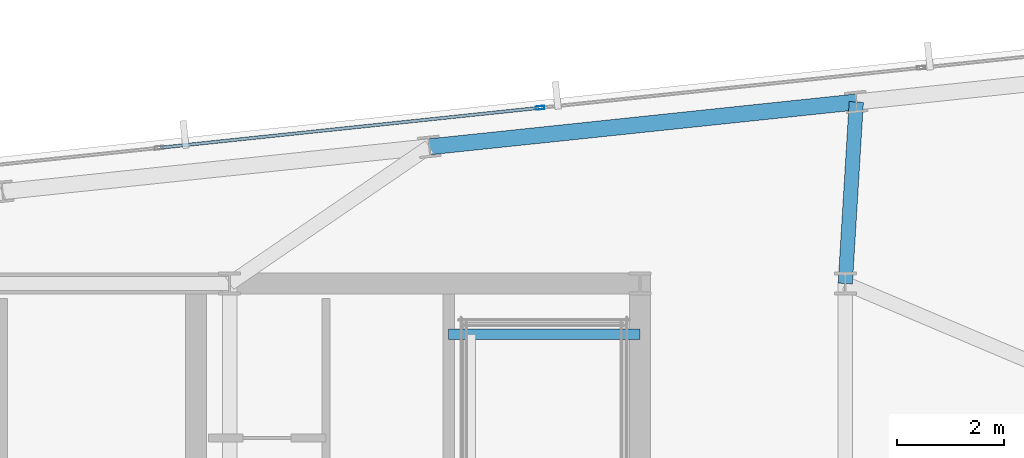
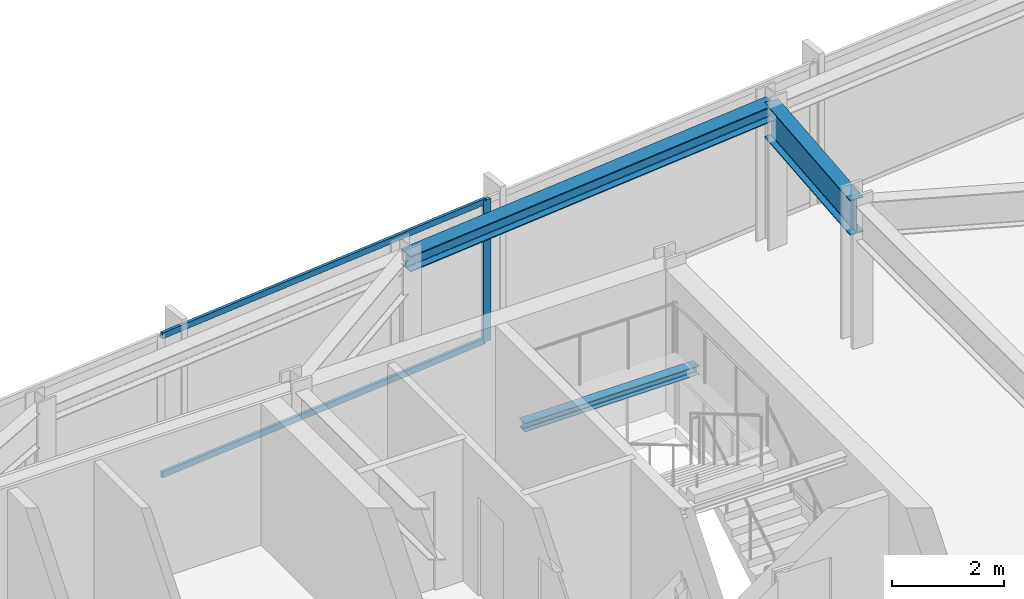
# One storey, part 23 of 33: 3 beams, 3 members, 1 element without a shape of its own.
"""IFC4 building model written with IfcOpenShell, lengths in metres."""

from ifc_helpers import new_model, si_unit, direction, frame, origin, origin_2d, place, context, subcontext, project, spatial, hollow_rectangle, i_section, extrude, material, material_profile, profile_set, type_object, element, aggregate, save


model = new_model("IFC4")

# Units and contexts
model_context = context("Model", 3, precision=1e-05, world=origin(), true_north=direction((0.0, 1.0)))
body_context = subcontext(model_context, "Body", "Model", "MODEL_VIEW")
ifc_project = project(units=[si_unit("LENGTHUNIT", "METRE"), si_unit("AREAUNIT", "SQUARE_METRE"), si_unit("VOLUMEUNIT", "CUBIC_METRE"), si_unit("PLANEANGLEUNIT", "RADIAN"), si_unit("MASSUNIT", "GRAM", prefix="KILO")], contexts=[model_context])

# Site, building, storey
site_placement = place(None, origin())
site = spatial("IfcSite", under=ifc_project, at=site_placement, CompositionType="ELEMENT")
building_placement = place(site_placement, origin())
building = spatial("IfcBuilding", under=site, at=building_placement, Name="Yelkora Congress Tower", CompositionType="ELEMENT")
storey_placement = place(building_placement, frame((0.0, 0.0, 224.300048828125)))
storey = spatial("IfcBuildingStorey", under=building, at=storey_placement, Name="L62", CompositionType="ELEMENT", Elevation=224.300048828125)

# Beams
ifc_material_1 = material(Name="Steel S355J2", Category="steel")
ifc_material_profile_1 = material_profile(ifc_material_1, i_section(OverallWidth=0.26708984375, OverallDepth=0.761962890625, WebThickness=0.014404296875, FlangeThickness=0.021484375, FilletRadius=0.01708984375, at=origin_2d()), Name="IPE 750x173")
ifc_profile_set_1 = profile_set([ifc_material_profile_1], Name="Steel S355J2")
beam_type_1 = type_object("IfcBeamType", Name="BM-GIRD-IPE750", PredefinedType="BEAM", material=ifc_profile_set_1)
beam_1_placement = place(storey_placement, frame((57.806640625, 49.5966796875, 2.698974609375), z_axis=(-0.060694337224, -0.998156399283, 0.0), x_axis=(0.998156399283, -0.060694337224, 0.0)))
element("IfcBeam", 1, at=beam_1_placement, inside=storey, type_object=beam_type_1, Name="L62 Primary Frame Girder N06", PredefinedType="BEAM", context=body_context, shape_type="SweptSolid", body=[
    extrude(i_section(OverallWidth=0.26708984375, OverallDepth=0.761962890625, WebThickness=0.014404296875, FlangeThickness=0.021484375, FilletRadius=0.01708984375, at=origin_2d()), origin(), (0.0, 0.0, 1.0), 3.403076171875),
])
ifc_material_profile_2 = material_profile(ifc_material_1, i_section(OverallWidth=0.199951171875, OverallDepth=0.18994140625, WebThickness=0.006591796875, FlangeThickness=0.010009765625, FilletRadius=0.01806640625, at=origin_2d()), Name="HEA 200")
ifc_profile_set_2 = profile_set([ifc_material_profile_2], Name="Steel S355J2")
beam_type_2 = type_object("IfcBeamType", Name="BM-LAND-HEA200", PredefinedType="BEAM", material=ifc_profile_set_2)
beam_2_placement = place(storey_placement, frame((50.179931640625, 45.25, 1.33447265625), z_axis=(1.0, 0.0, 0.0), x_axis=(0.0, 1.0, 0.0)))
element("IfcBeam", 2, at=beam_2_placement, inside=storey, type_object=beam_type_2, Name="ST-02 L62 Landing Header Beam 1N", PredefinedType="BEAM", context=body_context, shape_type="SweptSolid", body=[
    extrude(i_section(OverallWidth=0.199951171875, OverallDepth=0.18994140625, WebThickness=0.006591796875, FlangeThickness=0.010009765625, FilletRadius=0.01806640625, at=origin_2d()), origin(), (0.0, 0.0, 1.0), 3.580078125),
])
ifc_material_profile_3 = material_profile(ifc_material_1, i_section(OverallWidth=0.300048828125, OverallDepth=0.340087890625, WebThickness=0.011962890625, FlangeThickness=0.021484375, FilletRadius=0.027099609375, at=origin_2d()), Name="HEB 340")
ifc_profile_set_3 = profile_set([ifc_material_profile_3], Name="Steel S355J2")
beam_type_3 = type_object("IfcBeamType", Name="BM-SPAN-HEB340", PredefinedType="SPANDREL", material=ifc_profile_set_3)
beam_3_placement = place(storey_placement, frame((57.806640625, 49.5966796875, 2.909912109375), z_axis=(-0.994523256947, -0.104515507904, 0.0), x_axis=(0.104515507904, -0.994523256947, 0.0)))
element("IfcBeam", 3, at=beam_3_placement, inside=storey, type_object=beam_type_3, Name="L62 Perimeter Beam 14", PredefinedType="SPANDREL", context=body_context, shape_type="SweptSolid", body=[
    extrude(i_section(OverallWidth=0.300048828125, OverallDepth=0.340087890625, WebThickness=0.011962890625, FlangeThickness=0.021484375, FilletRadius=0.027099609375, at=origin_2d()), origin(), (0.0, 0.0, 1.0), 8.033203125),
])

# Curtain wall, members
ifc_material_2 = material(Name="Anodised aluminium and insulated glass", Category="aluminium")
curtain_wall_type = type_object("IfcCurtainWallType", Name="CW-SYS-B4", PredefinedType="NOTDEFINED", material=ifc_material_2)
curtain_wall_placement = place(storey_placement, origin())
curtain_wall = element("IfcCurtainWall", 4, at=curtain_wall_placement, inside=storey, type_object=curtain_wall_type, Name="L62 Unitised Curtain Wall 10 (3)", PredefinedType="NOTDEFINED")
ifc_material_3 = material(Name="Anodised aluminium 6063-T6", Category="aluminium")
ifc_material_profile_4 = material_profile(ifc_material_3, hollow_rectangle(XDim=0.06494140625, YDim=0.159912109375, WallThickness=0.00390625, at=origin_2d()), Name="ALU 65x160x4")
ifc_profile_set_4 = profile_set([ifc_material_profile_4], Name="Anodised aluminium 6063-T6")
member_type_1 = type_object("IfcMemberType", Name="MEM-ML-B4", PredefinedType="MULLION", material=ifc_profile_set_4)
member_1_placement = place(storey_placement, frame((51.888916015625, 49.487548828125, 0.0), z_axis=(0.0, 0.0, 1.0), x_axis=(-0.104527724021, 0.994521973066, 0.0)))
member_1 = element("IfcMember", 5, at=member_1_placement, type_object=member_type_1, Name="CW-B4 mullion 5", PredefinedType="MULLION", context=body_context, shape_type="SweptSolid", body=[
    extrude(hollow_rectangle(XDim=0.06494140625, YDim=0.159912109375, WallThickness=0.00390625, at=origin_2d()), origin(), (0.0, 0.0, 1.0), 3.079833984375),
])
ifc_material_profile_5 = material_profile(ifc_material_3, hollow_rectangle(XDim=0.06005859375, YDim=0.1298828125, WallThickness=0.00390625, at=origin_2d()), Name="ALU 60x130x4")
ifc_profile_set_5 = profile_set([ifc_material_profile_5], Name="Anodised aluminium 6063-T6")
member_type_2 = type_object("IfcMemberType", Name="MEM-TR-B4", PredefinedType="USERDEFINED", material=ifc_profile_set_5)
member_2_placement = place(storey_placement, frame((44.79052734375, 48.74169921875, 0.030029296875), z_axis=(0.99452200925, 0.104527379751, 0.0), x_axis=(-0.104527379751, 0.99452200925, 0.0)))
member_2 = element("IfcMember", 6, at=member_2_placement, type_object=member_type_2, Name="CW-B4 transom 4.1", ObjectType="TRANSOM", PredefinedType="USERDEFINED", context=body_context, shape_type="SweptSolid", body=[
    extrude(hollow_rectangle(XDim=0.06005859375, YDim=0.1298828125, WallThickness=0.00390625, at=origin_2d()), origin(), (0.0, 0.0, 1.0), 7.10498046875),
])
member_3_placement = place(storey_placement, frame((44.79052734375, 48.74169921875, 3.050048828125), z_axis=(0.99452200925, 0.104527379751, 0.0), x_axis=(-0.104527379751, 0.99452200925, 0.0)))
member_3 = element("IfcMember", 7, at=member_3_placement, type_object=member_type_2, Name="CW-B4 transom 4.2", ObjectType="TRANSOM", PredefinedType="USERDEFINED", context=body_context, shape_type="SweptSolid", body=[
    extrude(hollow_rectangle(XDim=0.06005859375, YDim=0.1298828125, WallThickness=0.00390625, at=origin_2d()), origin(), (0.0, 0.0, 1.0), 7.10498046875),
])
aggregate(curtain_wall, [member_1, member_2, member_3])

save(model, "model.ifc")
